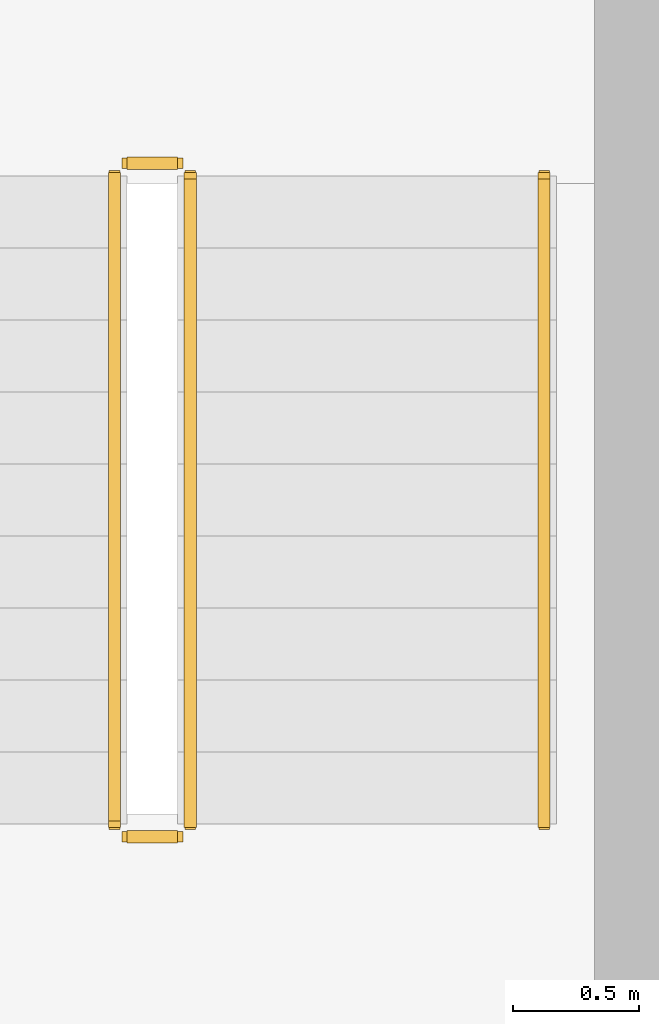
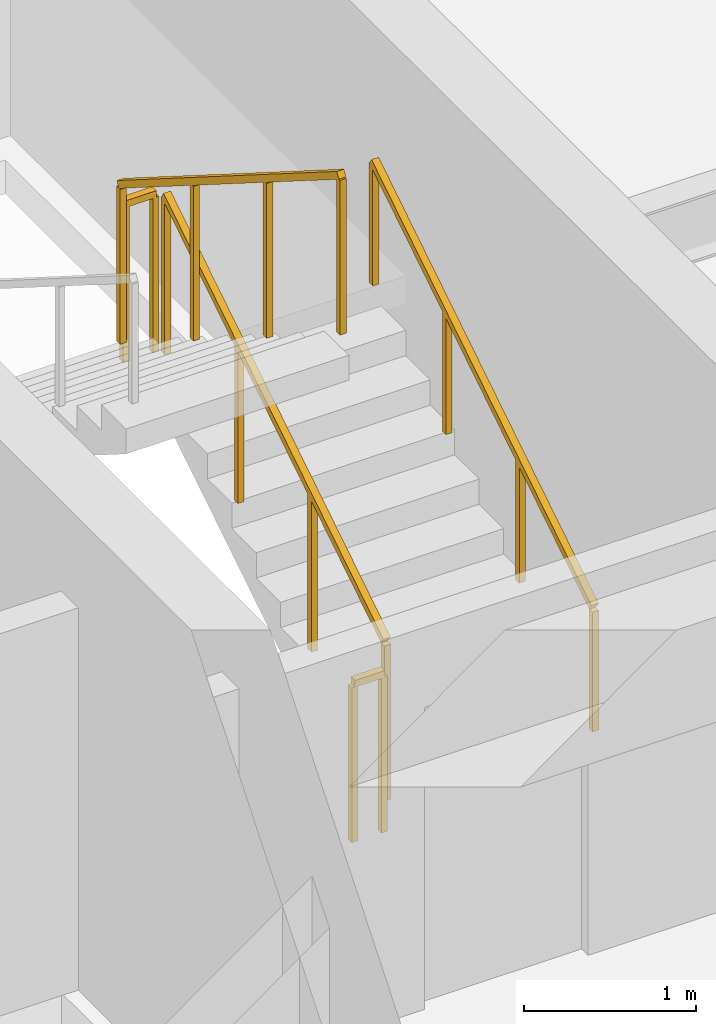
# One storey, part 23 of 23: 5 railings.
"""IFC4 building model written with IfcOpenShell, lengths in metres."""

from ifc_helpers import new_model, si_unit, direction, frame, origin, origin_2d, place, context, subcontext, project, spatial, rectangle, extrude, material, type_object, element, save


model = new_model("IFC4")

# Units and contexts
model_context = context("Model", 3, precision=1e-05, world=origin(), true_north=direction((0.0, 1.0)))
body_context = subcontext(model_context, "Body", "Model", "MODEL_VIEW")
ifc_project = project(units=[si_unit("LENGTHUNIT", "METRE"), si_unit("AREAUNIT", "SQUARE_METRE"), si_unit("VOLUMEUNIT", "CUBIC_METRE"), si_unit("PLANEANGLEUNIT", "RADIAN"), si_unit("MASSUNIT", "GRAM", prefix="KILO")], contexts=[model_context])

# Site, building, storey
site_placement = place(None, origin())
site = spatial("IfcSite", under=ifc_project, at=site_placement, CompositionType="ELEMENT")
building_placement = place(site_placement, origin())
building = spatial("IfcBuilding", under=site, at=building_placement, Name="Sarneth Arch Tower", CompositionType="ELEMENT")
storey_placement = place(building_placement, frame((0.0, 0.0, 224.39990234375)))
storey = spatial("IfcBuildingStorey", under=building, at=storey_placement, Name="L57", CompositionType="ELEMENT", Elevation=224.39990234375)

# Railings
ifc_material_1 = material(Name="Brushed Stainless Steel 304 tubular handrail", Category="steel")
railing_type_1 = type_object("IfcRailingType", Name="RAIL-HANDRAIL-900", PredefinedType="HANDRAIL", material=ifc_material_1)
railing_1_placement = place(storey_placement, frame((58.60009765625, 41.449951171875, 0.18017578125)))
element("IfcRailing", 1, at=railing_1_placement, inside=storey, type_object=railing_type_1, Name="L57 ST-2 stair handrail 1", PredefinedType="HANDRAIL", context=body_context, shape_type="SweptSolid", body=[
    extrude(rectangle(XDim=0.048095703125, YDim=0.048095703125, at=origin_2d()), frame((0.0, 0.0, 0.8759765625), z_axis=(0.0, 0.845502289212, 0.533971796014), x_axis=(-1.0, 0.0, 0.0)), (0.0, 0.0, 1.0), 3.03369140625),
    extrude(rectangle(XDim=0.0419921875, YDim=0.0419921875, at=origin_2d()), origin(), (0.0, 0.0, 1.0), 0.851806640625),
    extrude(rectangle(XDim=0.0419921875, YDim=0.0419921875, at=origin_2d()), frame((0.0, 0.85498046875, 0.5400390625)), (0.0, 0.0, 1.0), 0.851806640625),
    extrude(rectangle(XDim=0.0419921875, YDim=0.0419921875, at=origin_2d()), frame((0.0, 1.7099609375, 1.079833984375)), (0.0, 0.0, 1.0), 0.851806640625),
    extrude(rectangle(XDim=0.0419921875, YDim=0.0419921875, at=origin_2d()), frame((0.0, 2.56494140625, 1.619873046875)), (0.0, 0.0, 1.0), 0.851806640625),
])
ifc_material_2 = material(Name="Painted Steel S275 stair well guard", Category="steel")
railing_type_2 = type_object("IfcRailingType", Name="RAIL-STAIR-GUARD", PredefinedType="GUARDRAIL", material=ifc_material_2)
railing_2_placement = place(storey_placement, frame((57.199951171875, 41.449951171875, 0.18017578125)))
element("IfcRailing", 2, at=railing_2_placement, inside=storey, type_object=railing_type_2, Name="L57 ST-2 stair guard 1", PredefinedType="GUARDRAIL", context=body_context, shape_type="SweptSolid", body=[
    extrude(rectangle(XDim=0.048095703125, YDim=0.048095703125, at=origin_2d()), frame((0.0, 0.0, 1.1259765625), z_axis=(0.0, 0.845502289212, 0.533971796014), x_axis=(-1.0, 0.0, 0.0)), (0.0, 0.0, 1.0), 3.03369140625),
    extrude(rectangle(XDim=0.0419921875, YDim=0.0419921875, at=origin_2d()), origin(), (0.0, 0.0, 1.0), 1.101806640625),
    extrude(rectangle(XDim=0.0419921875, YDim=0.0419921875, at=origin_2d()), frame((0.0, 0.85498046875, 0.5400390625)), (0.0, 0.0, 1.0), 1.101806640625),
    extrude(rectangle(XDim=0.0419921875, YDim=0.0419921875, at=origin_2d()), frame((0.0, 1.7099609375, 1.079833984375)), (0.0, 0.0, 1.0), 1.101806640625),
    extrude(rectangle(XDim=0.0419921875, YDim=0.0419921875, at=origin_2d()), frame((0.0, 2.56494140625, 1.619873046875)), (0.0, 0.0, 1.0), 1.101806640625),
])
railing_3_placement = place(storey_placement, frame((57.14990234375, 44.06494140625, 1.800048828125)))
element("IfcRailing", 3, at=railing_3_placement, inside=storey, type_object=railing_type_2, Name="L57 ST-2 stair guard 2", PredefinedType="GUARDRAIL", context=body_context, shape_type="SweptSolid", body=[
    extrude(rectangle(XDim=0.048095703125, YDim=0.048095703125, at=origin_2d()), frame((0.0, 0.0, 1.1259765625), z_axis=(-1.0, 0.0, 0.0), x_axis=(0.0, -1.0, 0.0)), (0.0, 0.0, 1.0), 0.199951171875),
    extrude(rectangle(XDim=0.0419921875, YDim=0.0419921875, at=origin_2d()), origin(), (0.0, 0.0, 1.0), 1.101806640625),
    extrude(rectangle(XDim=0.0419921875, YDim=0.0419921875, at=origin_2d()), frame((-0.199951171875, 0.0, 0.0)), (0.0, 0.0, 1.0), 1.101806640625),
])
railing_4_placement = place(storey_placement, frame((56.89990234375, 44.014892578125, 1.97998046875)))
element("IfcRailing", 4, at=railing_4_placement, inside=storey, type_object=railing_type_2, Name="L57 ST-2 stair guard 3", PredefinedType="GUARDRAIL", context=body_context, shape_type="SweptSolid", body=[
    extrude(rectangle(XDim=0.048095703125, YDim=0.048095703125, at=origin_2d()), frame((0.0, 0.0, 1.1259765625), z_axis=(0.0, -0.845465955043, 0.534029323973), x_axis=(1.0, 0.0, 0.0)), (0.0, 0.0, 1.0), 3.03369140625),
    extrude(rectangle(XDim=0.0419921875, YDim=0.0419921875, at=origin_2d()), origin(), (0.0, 0.0, 1.0), 1.101806640625),
    extrude(rectangle(XDim=0.0419921875, YDim=0.0419921875, at=origin_2d()), frame((0.0, -0.85498046875, 0.5400390625)), (0.0, 0.0, 1.0), 1.101806640625),
    extrude(rectangle(XDim=0.0419921875, YDim=0.0419921875, at=origin_2d()), frame((0.0, -1.7099609375, 1.080078125)), (0.0, 0.0, 1.0), 1.101806640625),
    extrude(rectangle(XDim=0.0419921875, YDim=0.0419921875, at=origin_2d()), frame((0.0, -2.56494140625, 1.6201171875)), (0.0, 0.0, 1.0), 1.101806640625),
])
railing_5_placement = place(storey_placement, frame((57.14990234375, 41.39990234375, 0.0)))
element("IfcRailing", 5, at=railing_5_placement, inside=storey, type_object=railing_type_2, Name="L57 ST-2 stair guard 4", PredefinedType="GUARDRAIL", context=body_context, shape_type="SweptSolid", body=[
    extrude(rectangle(XDim=0.048095703125, YDim=0.048095703125, at=origin_2d()), frame((0.0, 0.0, 1.1259765625), z_axis=(-1.0, 0.0, 0.0), x_axis=(0.0, -1.0, 0.0)), (0.0, 0.0, 1.0), 0.199951171875),
    extrude(rectangle(XDim=0.0419921875, YDim=0.0419921875, at=origin_2d()), origin(), (0.0, 0.0, 1.0), 1.101806640625),
    extrude(rectangle(XDim=0.0419921875, YDim=0.0419921875, at=origin_2d()), frame((-0.199951171875, 0.0, 0.0)), (0.0, 0.0, 1.0), 1.101806640625),
])

save(model, "model.ifc")
